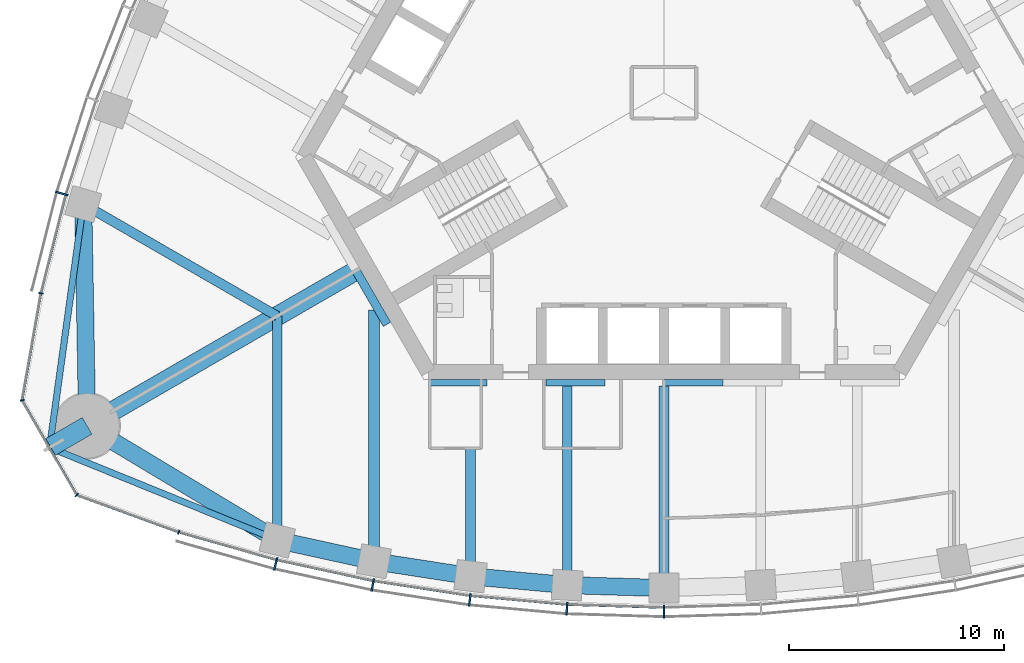
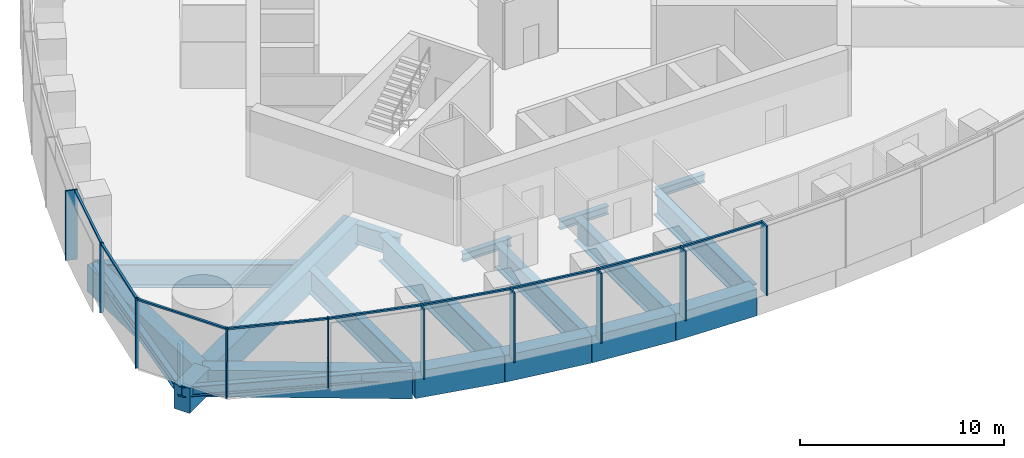
# One storey, part 2 of 15: 20 beams, 19 members, 3 elements without a shape of their own.
"""IFC4 building model written with IfcOpenShell, lengths in metres."""

import ifcopenshell
import ifcopenshell.guid

model = None  # the IFC model being written
_history = None  # IfcOwnerHistory: only IFC2X3 demands one
_inside = {}  # id of a spatial element -> (the spatial element, [elements in it])
_under = {}  # id of a project, library or spatial element -> (it, [spatial elements below it])
_declared = {}  # id of a project -> (the project, [libraries it declares])
_typed = {}  # id of a type object -> (the type object, [elements of that type])
_made_of = {}  # id of a material, layer set ... -> (it, [elements and type objects made of it])


def new_model(schema):
    """Start an empty IFC model of exactly this schema.

    Asked for "IFC4X3", IfcOpenShell would pick the latest addendum, in which some entities
    have other attributes; the version numbers below select the first issue.
    IFC2X3 requires an IfcOwnerHistory on every rooted entity: one is made here for all.
    """
    global model, _history
    if schema == "IFC4X3":
        model = ifcopenshell.file(schema_version=(4, 3, 0, 0))
    else:
        model = ifcopenshell.file(schema=schema)
    _inside.clear()
    _under.clear()
    _declared.clear()
    _typed.clear()
    _made_of.clear()
    _history = None
    if model.schema == "IFC2X3":
        org = make("IfcOrganization", Name="unknown")
        user = make(
            "IfcPersonAndOrganization",
            ThePerson=make("IfcPerson", FamilyName="unknown"),
            TheOrganization=org,
        )
        app = make(
            "IfcApplication",
            ApplicationDeveloper=org,
            Version="unknown",
            ApplicationFullName="unknown",
            ApplicationIdentifier="unknown",
        )
        _history = make(
            "IfcOwnerHistory",
            OwningUser=user,
            OwningApplication=app,
            ChangeAction="ADDED",
            CreationDate=0,
        )
    return model


def make(cls, **values):
    """One entity of the class cls with the attributes given. An attribute that is None is left unset."""
    return model.create_entity(
        cls, **{name: value for name, value in values.items() if value is not None}
    )


def rooted(cls, **values):
    """An entity with a GlobalId (a new one), such as an element, a storey or a relation."""
    return make(cls, GlobalId=ifcopenshell.guid.new(), OwnerHistory=_history, **values)


def si_unit(unit_type, name, prefix=None):
    """IfcSIUnit, for example si_unit("LENGTHUNIT", "METRE", prefix="MILLI")."""
    return make("IfcSIUnit", UnitType=unit_type, Prefix=prefix, Name=name)


def assignment(units):
    """IfcUnitAssignment: the units of a project."""
    return None if units is None else make("IfcUnitAssignment", Units=units)


def point(xyz):
    """IfcCartesianPoint."""
    return None if xyz is None else make("IfcCartesianPoint", Coordinates=xyz)


def direction(xyz):
    """IfcDirection."""
    return None if xyz is None else make("IfcDirection", DirectionRatios=xyz)


def frame(location, z_axis=None, x_axis=None):
    """IfcAxis2Placement3D, a coordinate frame: its origin and axes. An axis left out is left unset."""
    return make(
        "IfcAxis2Placement3D",
        Location=point(location),
        Axis=direction(z_axis),
        RefDirection=direction(x_axis),
    )


def frame_2d(location, x_axis=None):
    """IfcAxis2Placement2D, a coordinate frame in the plane: its origin and x axis."""
    return make(
        "IfcAxis2Placement2D", Location=point(location), RefDirection=direction(x_axis)
    )


def origin():
    """The frame at (0, 0, 0) with its axes left unset."""
    return frame((0.0, 0.0, 0.0))


def origin_2d():
    """The frame at (0, 0) in the plane with its x axis left unset."""
    return frame_2d((0.0, 0.0))


def place(relative_to, where):
    """IfcLocalPlacement: puts the frame where relative to a parent placement (None: the world)."""
    return make(
        "IfcLocalPlacement", PlacementRelTo=relative_to, RelativePlacement=where
    )


def context(
    kind, dimensions, precision=None, world=None, true_north=None, identifier=None
):
    """IfcGeometricRepresentationContext, for example the 3D "Model" context."""
    return make(
        "IfcGeometricRepresentationContext",
        ContextIdentifier=identifier,
        ContextType=kind,
        CoordinateSpaceDimension=dimensions,
        Precision=precision,
        WorldCoordinateSystem=world,
        TrueNorth=true_north,
    )


def subcontext(parent, identifier, kind, view, scale=None):
    """IfcGeometricRepresentationSubContext, for example "Body" below "Model"."""
    return make(
        "IfcGeometricRepresentationSubContext",
        ContextIdentifier=identifier,
        ContextType=kind,
        ParentContext=parent,
        TargetScale=scale,
        TargetView=view,
    )


def project(units=None, contexts=None):
    """IfcProject with its units and contexts."""
    return rooted(
        "IfcProject",
        Name="project",
        RepresentationContexts=contexts,
        UnitsInContext=assignment(units),
    )


def spatial(cls, under=None, at=None, **own):
    """A site, building, storey or space (cls), placed at a placement, below another one or the project."""
    s = rooted(cls, ObjectPlacement=at, **own)
    if under is not None:
        _under.setdefault(under.id(), (under, []))[1].append(s)
    return s


def profile(cls, at=None, kind="AREA", **sizes):
    """A parametric profile (cls). Its sizes go by their IFC names, for example OverallWidth=200.0."""
    return make(cls, ProfileType=kind, Position=at, **sizes)


def rectangle(**sizes):
    """IfcRectangleProfileDef."""
    return profile("IfcRectangleProfileDef", **sizes)


def i_section(**sizes):
    """IfcIShapeProfileDef."""
    return profile("IfcIShapeProfileDef", **sizes)


def extrude(swept, where, along, depth):
    """IfcExtrudedAreaSolid: the profile swept, set in the frame where, extruded along a direction by depth."""
    return make(
        "IfcExtrudedAreaSolid",
        SweptArea=swept,
        Position=where,
        ExtrudedDirection=direction(along),
        Depth=depth,
    )


def shape(context_of_items, identifier, shape_type, items):
    """IfcShapeRepresentation: the items that make up one representation, for example the "Body"."""
    return make(
        "IfcShapeRepresentation",
        ContextOfItems=context_of_items,
        RepresentationIdentifier=identifier,
        RepresentationType=shape_type,
        Items=items,
    )


def material(Name=None, Category=None):
    """IfcMaterial."""
    return make("IfcMaterial", Name=Name, Category=Category)


def material_profile(
    of_material, cross_section, Name=None, Category=None, Priority=None
):
    """IfcMaterialProfile: a cross section and its material."""
    return make(
        "IfcMaterialProfile",
        Name=Name,
        Material=of_material,
        Profile=cross_section,
        Priority=Priority,
        Category=Category,
    )


def profile_set(profiles, Name=None, composite=None):
    """IfcMaterialProfileSet."""
    return make(
        "IfcMaterialProfileSet",
        Name=Name,
        MaterialProfiles=profiles,
        CompositeProfile=composite,
    )


def made_of(thing, what):
    """Note that an element or type object is made of a material, layer set ...; save() writes the relation."""
    if what is not None:
        _made_of.setdefault(what.id(), (what, []))[1].append(thing)
    return thing


def type_object(cls, material=None, **own):
    """A type object (cls), such as IfcWallType, which elements share."""
    return made_of(rooted(cls, **own), material)


def element(
    cls,
    number,
    at=None,
    inside=None,
    cuts=None,
    type_object=None,
    material=None,
    context=None,
    identifier="Body",
    shape_type=None,
    held_by="IfcProductDefinitionShape",
    body=None,
    shapes=None,
    **own,
):
    """One element of the class cls, such as IfcWall. Its Tag is "e" and its number.

    at: its placement. inside: the storey or other place that contains it. cuts: it is an
    opening in that element (IfcRelVoidsElement). A single representation is given by context,
    identifier, shape_type and body (its items); several are given by shapes. held_by: the class
    of the entity that holds the representations. save() writes the other relations.
    """
    e = rooted(cls, Tag="e%d" % number, ObjectPlacement=at, **own)
    if body is not None:
        shapes = [shape(context, identifier, shape_type, body)]
    if shapes is not None:
        e.Representation = make(held_by, Representations=shapes)
    if inside is not None:
        _inside.setdefault(inside.id(), (inside, []))[1].append(e)
    if cuts is not None:
        rooted(
            "IfcRelVoidsElement", RelatingBuildingElement=cuts, RelatedOpeningElement=e
        )
    if type_object is not None:
        _typed.setdefault(type_object.id(), (type_object, []))[1].append(e)
    return made_of(e, material)


def aggregate(whole, parts):
    """IfcRelAggregates: a whole, such as a stair, and the parts it consists of."""
    return rooted("IfcRelAggregates", RelatingObject=whole, RelatedObjects=parts)


def save(model, path):
    """Write the relations noted so far, then the file.

    IfcRelAggregates (storeys below a building ...), IfcRelContainedInSpatialStructure (elements
    in a storey), IfcRelDefinesByType, IfcRelAssociatesMaterial and IfcRelDeclares: one each for
    every whole, place, type object, material and project.
    """
    for whole, parts in _under.values():
        aggregate(whole, parts)
    for where, things in _inside.values():
        rooted(
            "IfcRelContainedInSpatialStructure",
            RelatedElements=things,
            RelatingStructure=where,
        )
    for kind, things in _typed.values():
        rooted("IfcRelDefinesByType", RelatedObjects=things, RelatingType=kind)
    for what, things in _made_of.values():
        rooted("IfcRelAssociatesMaterial", RelatedObjects=things, RelatingMaterial=what)
    for by, libraries in _declared.values():
        rooted("IfcRelDeclares", RelatingContext=by, RelatedDefinitions=libraries)
    model.write(path)


model = new_model("IFC4")

# Units and contexts
model_context = context("Model", 3, precision=1e-05, world=origin(), true_north=direction((0.0, 1.0)))
body_context = subcontext(model_context, "Body", "Model", "MODEL_VIEW")
ifc_project = project(units=[si_unit("LENGTHUNIT", "METRE"), si_unit("AREAUNIT", "SQUARE_METRE"), si_unit("VOLUMEUNIT", "CUBIC_METRE"), si_unit("PLANEANGLEUNIT", "RADIAN"), si_unit("MASSUNIT", "GRAM", prefix="KILO")], contexts=[model_context])

# Site, building, storey
site_placement = place(None, origin())
site = spatial("IfcSite", under=ifc_project, at=site_placement, CompositionType="ELEMENT")
building_placement = place(site_placement, origin())
building = spatial("IfcBuilding", under=site, at=building_placement, Name="Trefoil Bronze Tower", CompositionType="ELEMENT")
storey_placement = place(building_placement, frame((0.0, 0.0, 276.300048828125)))
storey = spatial("IfcBuildingStorey", under=building, at=storey_placement, Name="L63", CompositionType="ELEMENT", Elevation=276.300048828125)

# Curtain wall, members
ifc_material_1 = material(Name="Tinted solar-control glass", Category="glass")
curtain_wall_type_1 = type_object("IfcCurtainWallType", Name="Bronze office curtain wall", PredefinedType="USERDEFINED", material=ifc_material_1)
curtain_wall_1_placement = place(storey_placement, origin())
curtain_wall_1 = element("IfcCurtainWall", 1, at=curtain_wall_1_placement, inside=storey, type_object=curtain_wall_type_1, Name="CW-A L63 F1", ObjectType="CURTAIN WALL", PredefinedType="USERDEFINED")
ifc_material_2 = material(Name="Bronze-finish aluminium", Category="aluminium")
ifc_material_profile_1 = material_profile(ifc_material_2, rectangle(XDim=0.60009765625, YDim=0.080078125, at=origin_2d()), Name="CW-A mullion")
ifc_profile_set_1 = profile_set([ifc_material_profile_1], Name="Bronze-finish aluminium")
member_type_1 = type_object("IfcMemberType", Name="Bronze office curtain wall mullion", PredefinedType="MULLION", material=ifc_profile_set_1)
member_1_placement = place(storey_placement, frame((-18.07275390625, -21.931884765625, 0.0), z_axis=(0.0, 0.0, 1.0), x_axis=(0.242394494031, 0.97017777199, 0.0)))
member_1 = element("IfcMember", 2, at=member_1_placement, type_object=member_type_1, Name="CW-A L63 F1 mullion 2", PredefinedType="MULLION", context=body_context, shape_type="SweptSolid", body=[
    extrude(rectangle(XDim=0.60009765625, YDim=0.080078125, at=origin_2d()), origin(), (0.0, 0.0, 1.0), 4.179931640625),
])
member_2_placement = place(storey_placement, frame((-13.554443359375, -22.911376953125, 0.0), z_axis=(0.0, 0.0, 1.0), x_axis=(0.181667218242, 0.983360067227, 0.0)))
member_2 = element("IfcMember", 3, at=member_2_placement, type_object=member_type_1, Name="CW-A L63 F1 mullion 3", PredefinedType="MULLION", context=body_context, shape_type="SweptSolid", body=[
    extrude(rectangle(XDim=0.60009765625, YDim=0.080078125, at=origin_2d()), origin(), (0.0, 0.0, 1.0), 4.179931640625),
])
member_3_placement = place(storey_placement, frame((-9.036376953125, -23.602783203125, 0.0), z_axis=(0.0, 0.0, 1.0), x_axis=(0.121109330868, 0.992639174109, 0.0)))
member_3 = element("IfcMember", 4, at=member_3_placement, type_object=member_type_1, Name="CW-A L63 F1 mullion 4", PredefinedType="MULLION", context=body_context, shape_type="SweptSolid", body=[
    extrude(rectangle(XDim=0.60009765625, YDim=0.080078125, at=origin_2d()), origin(), (0.0, 0.0, 1.0), 4.179931640625),
])
member_4_placement = place(storey_placement, frame((-4.51806640625, -24.014892578125, 0.0), z_axis=(0.0, 0.0, 1.0), x_axis=(0.060554040199, 0.998164920349, 0.0)))
member_4 = element("IfcMember", 5, at=member_4_placement, type_object=member_type_1, Name="CW-A L63 F1 mullion 5", PredefinedType="MULLION", context=body_context, shape_type="SweptSolid", body=[
    extrude(rectangle(XDim=0.60009765625, YDim=0.080078125, at=origin_2d()), origin(), (0.0, 0.0, 1.0), 4.179931640625),
])
member_5_placement = place(storey_placement, frame((0.0, -24.151611328125, 0.0), z_axis=(0.0, 0.0, 1.0), x_axis=(0.0, 1.0, 0.0)))
member_5 = element("IfcMember", 6, at=member_5_placement, type_object=member_type_1, Name="CW-A L63 F1 mullion 6", PredefinedType="MULLION", context=body_context, shape_type="SweptSolid", body=[
    extrude(rectangle(XDim=0.60009765625, YDim=0.080078125, at=origin_2d()), origin(), (0.0, 0.0, 1.0), 4.179931640625),
])

# Curtain wall, member
curtain_wall_2_placement = place(storey_placement, origin())
curtain_wall_2 = element("IfcCurtainWall", 7, at=curtain_wall_2_placement, inside=storey, type_object=curtain_wall_type_1, Name="CW-A L63 F3", ObjectType="CURTAIN WALL", PredefinedType="USERDEFINED")
member_6_placement = place(storey_placement, frame((-28.02978515625, -4.685546875, 0.0), z_axis=(0.0, 0.0, 1.0), x_axis=(0.961395843746, -0.275169096426, 0.0)))
member_6 = element("IfcMember", 8, at=member_6_placement, type_object=member_type_1, Name="CW-A L63 F3 mullion 10", PredefinedType="MULLION", context=body_context, shape_type="SweptSolid", body=[
    extrude(rectangle(XDim=0.60009765625, YDim=0.080078125, at=origin_2d()), origin(), (0.0, 0.0, 1.0), 4.179931640625),
])

# Member
ifc_material_3 = material(Name="Bronze-finish aluminium", Category="aluminium")
ifc_material_profile_2 = material_profile(ifc_material_3, rectangle(XDim=0.1201171875, YDim=0.10009765625, at=origin_2d()), Name="CW-A transom")
ifc_profile_set_2 = profile_set([ifc_material_profile_2], Name="Bronze-finish aluminium")
member_type_2 = type_object("IfcMemberType", Name="Bronze office curtain wall transom", PredefinedType="USERDEFINED", material=ifc_profile_set_2)
member_7_placement = place(storey_placement, frame((-22.537109375, -20.458740234375, 4.1298828125), z_axis=(0.962102611578, -0.272687668944, 0.0), x_axis=(0.272687668944, 0.962102611578, 0.0)))
member_7 = element("IfcMember", 9, at=member_7_placement, type_object=member_type_2, Name="CW-A L63 F1 transom 1", ObjectType="TRANSOM", PredefinedType="USERDEFINED", context=body_context, shape_type="SweptSolid", body=[
    extrude(rectangle(XDim=0.1201171875, YDim=0.10009765625, at=origin_2d()), origin(), (0.0, 0.0, 1.0), 4.6474609375),
])

member_8_placement = place(storey_placement, frame((-17.982177734375, -21.7470703125, 4.1298828125), z_axis=(0.977303780028, -0.211842681117, 0.0), x_axis=(0.211842681117, 0.977303780028, 0.0)))
member_8 = element("IfcMember", 10, at=member_8_placement, type_object=member_type_2, Name="CW-A L63 F1 transom 2", ObjectType="TRANSOM", PredefinedType="USERDEFINED", context=body_context, shape_type="SweptSolid", body=[
    extrude(rectangle(XDim=0.1201171875, YDim=0.10009765625, at=origin_2d()), origin(), (0.0, 0.0, 1.0), 4.524658203125),
])

member_9_placement = place(storey_placement, frame((-13.4755859375, -22.72119140625, 4.1298828125), z_axis=(0.988485016014, -0.151318779787, 0.0), x_axis=(0.151318779787, 0.988485016014, 0.0)))
member_9 = element("IfcMember", 11, at=member_9_placement, type_object=member_type_2, Name="CW-A L63 F1 transom 3", ObjectType="TRANSOM", PredefinedType="USERDEFINED", context=body_context, shape_type="SweptSolid", body=[
    extrude(rectangle(XDim=0.1201171875, YDim=0.10009765625, at=origin_2d()), origin(), (0.0, 0.0, 1.0), 4.472412109375),
])

member_10_placement = place(storey_placement, frame((-8.96923828125, -23.408203125, 4.1298828125), z_axis=(0.995868373079, -0.090808499059, 0.0), x_axis=(0.090808499059, 0.995868373079, 0.0)))
member_10 = element("IfcMember", 12, at=member_10_placement, type_object=member_type_2, Name="CW-A L63 F1 transom 4", ObjectType="TRANSOM", PredefinedType="USERDEFINED", context=body_context, shape_type="SweptSolid", body=[
    extrude(rectangle(XDim=0.1201171875, YDim=0.10009765625, at=origin_2d()), origin(), (0.0, 0.0, 1.0), 4.438720703125),
])

member_11_placement = place(storey_placement, frame((-4.463134765625, -23.81640625, 4.1298828125), z_axis=(0.99954057115, -0.030309183848, 0.0), x_axis=(0.030309183848, 0.99954057115, 0.0)))
member_11 = element("IfcMember", 13, at=member_11_placement, type_object=member_type_2, Name="CW-A L63 F1 transom 5", ObjectType="TRANSOM", PredefinedType="USERDEFINED", context=body_context, shape_type="SweptSolid", body=[
    extrude(rectangle(XDim=0.1201171875, YDim=0.10009765625, at=origin_2d()), origin(), (0.0, 0.0, 1.0), 4.422119140625),
])

aggregate(curtain_wall_1, [member_1, member_2, member_3, member_4, member_5, member_7, member_8, member_9, member_10, member_11])

member_12_placement = place(storey_placement, frame((-27.84814453125, -4.782470703125, 4.1298828125), z_axis=(-0.244908148095, -0.969546285123, 0.0), x_axis=(0.969546285123, -0.244908148095, 0.0)))
member_12 = element("IfcMember", 14, at=member_12_placement, type_object=member_type_2, Name="CW-A L63 F3 transom 10", ObjectType="TRANSOM", PredefinedType="USERDEFINED", context=body_context, shape_type="SweptSolid", body=[
    extrude(rectangle(XDim=0.1201171875, YDim=0.10009765625, at=origin_2d()), origin(), (0.0, 0.0, 1.0), 4.6474609375),
])

aggregate(curtain_wall_2, [member_6, member_12])

# Curtain wall, members
ifc_material_4 = material(Name="Tinted solar-control glass", Category="glass")
curtain_wall_type_2 = type_object("IfcCurtainWallType", Name="Bronze rounded corner curtain wall", PredefinedType="USERDEFINED", material=ifc_material_4)
curtain_wall_3_placement = place(storey_placement, origin())
curtain_wall_3 = element("IfcCurtainWall", 15, at=curtain_wall_3_placement, inside=storey, type_object=curtain_wall_type_2, Name="CW-B L63 K3", ObjectType="CURTAIN WALL", PredefinedType="USERDEFINED")
ifc_material_5 = material(Name="Bronze-finish aluminium", Category="aluminium")
ifc_material_profile_3 = material_profile(ifc_material_5, rectangle(XDim=0.199951171875, YDim=0.06005859375, at=origin_2d()), Name="CW-B mullion")
ifc_profile_set_3 = profile_set([ifc_material_profile_3], Name="Bronze-finish aluminium")
member_type_3 = type_object("IfcMemberType", Name="Bronze rounded corner curtain wall mullion", PredefinedType="MULLION", material=ifc_profile_set_3)
member_13_placement = place(storey_placement, frame((-28.99755859375, -9.334228515625, 0.0), z_axis=(0.0, 0.0, 1.0), x_axis=(0.984807753012, -0.173648177667, 0.0)))
member_13 = element("IfcMember", 16, at=member_13_placement, type_object=member_type_3, Name="CW-B L63 K3 mullion 1", PredefinedType="MULLION", context=body_context, shape_type="SweptSolid", body=[
    extrude(rectangle(XDim=0.199951171875, YDim=0.06005859375, at=origin_2d()), origin(), (0.0, 0.0, 1.0), 4.179931640625),
])
member_14_placement = place(storey_placement, frame((-29.86865234375, -14.30908203125, 0.0), z_axis=(0.0, 0.0, 1.0), x_axis=(0.984807753012, 0.173648177667, 0.0)))
member_14 = element("IfcMember", 17, at=member_14_placement, type_object=member_type_3, Name="CW-B L63 K3 mullion 2", PredefinedType="MULLION", context=body_context, shape_type="SweptSolid", body=[
    extrude(rectangle(XDim=0.199951171875, YDim=0.06005859375, at=origin_2d()), origin(), (0.0, 0.0, 1.0), 4.179931640625),
])
member_15_placement = place(storey_placement, frame((-27.326416015625, -18.712646484375, 0.0), z_axis=(0.0, 0.0, 1.0), x_axis=(0.642787609687, 0.766044443119, 0.0)))
member_15 = element("IfcMember", 18, at=member_15_placement, type_object=member_type_3, Name="CW-B L63 K3 mullion 3", PredefinedType="MULLION", context=body_context, shape_type="SweptSolid", body=[
    extrude(rectangle(XDim=0.199951171875, YDim=0.06005859375, at=origin_2d()), origin(), (0.0, 0.0, 1.0), 4.179931640625),
])
member_16_placement = place(storey_placement, frame((-22.58251953125, -20.445556640625, 0.0), z_axis=(0.0, 0.0, 1.0), x_axis=(0.342020143326, 0.939692620786, 0.0)))
member_16 = element("IfcMember", 19, at=member_16_placement, type_object=member_type_3, Name="CW-B L63 K3 mullion 4", PredefinedType="MULLION", context=body_context, shape_type="SweptSolid", body=[
    extrude(rectangle(XDim=0.199951171875, YDim=0.06005859375, at=origin_2d()), origin(), (0.0, 0.0, 1.0), 4.179931640625),
])
ifc_material_6 = material(Name="Bronze-finish aluminium", Category="aluminium")
ifc_material_profile_4 = material_profile(ifc_material_6, rectangle(XDim=0.1201171875, YDim=0.10009765625, at=origin_2d()), Name="CW-B transom")
ifc_profile_set_4 = profile_set([ifc_material_profile_4], Name="Bronze-finish aluminium")
member_type_4 = type_object("IfcMemberType", Name="Bronze rounded corner curtain wall transom", PredefinedType="USERDEFINED", material=ifc_profile_set_4)
member_17_placement = place(storey_placement, frame((-29.0029296875, -9.36376953125, 4.1298828125), z_axis=(-0.173633591509, -0.984810324834, 0.0), x_axis=(0.984810324834, -0.173633591509, 0.0)))
member_17 = element("IfcMember", 20, at=member_17_placement, type_object=member_type_4, Name="CW-B L63 K3 transom 1", ObjectType="TRANSOM", PredefinedType="USERDEFINED", context=body_context, shape_type="SweptSolid", body=[
    extrude(rectangle(XDim=0.1201171875, YDim=0.10009765625, at=origin_2d()), origin(), (0.0, 0.0, 1.0), 4.956298828125),
])
member_18_placement = place(storey_placement, frame((-29.841796875, -14.36767578125, 4.1298828125), z_axis=(0.499985403706, -0.866033830794, 0.0), x_axis=(0.866033830794, 0.499985403706, 0.0)))
member_18 = element("IfcMember", 21, at=member_18_placement, type_object=member_type_4, Name="CW-B L63 K3 transom 2", ObjectType="TRANSOM", PredefinedType="USERDEFINED", context=body_context, shape_type="SweptSolid", body=[
    extrude(rectangle(XDim=0.1201171875, YDim=0.10009765625, at=origin_2d()), origin(), (0.0, 0.0, 1.0), 4.956298828125),
])
member_19_placement = place(storey_placement, frame((-27.26806640625, -18.740234375, 4.1298828125), z_axis=(0.93969990549, -0.342000128103, 0.0), x_axis=(0.342000128103, 0.93969990549, 0.0)))
member_19 = element("IfcMember", 22, at=member_19_placement, type_object=member_type_4, Name="CW-B L63 K3 transom 3", ObjectType="TRANSOM", PredefinedType="USERDEFINED", context=body_context, shape_type="SweptSolid", body=[
    extrude(rectangle(XDim=0.1201171875, YDim=0.10009765625, at=origin_2d()), origin(), (0.0, 0.0, 1.0), 4.956298828125),
])
aggregate(curtain_wall_3, [member_13, member_14, member_15, member_16, member_17, member_18, member_19])

# Beams
ifc_material_7 = material(Name="Steel C355", Category="steel")
ifc_material_profile_5 = material_profile(ifc_material_7, i_section(OverallWidth=0.300048828125, OverallDepth=0.5, WebThickness=0.014404296875, FlangeThickness=0.028076171875, FilletRadius=0.027099609375, at=origin_2d()), Name="HEB 500")
ifc_profile_set_5 = profile_set([ifc_material_profile_5], Name="Steel C355")
beam_type_1 = type_object("IfcBeamType", Name="Core seat beam HEB 500", PredefinedType="BEAM", material=ifc_profile_set_5)
for number, where, z_axis, x_axis, name in (
    (23, (-10.9697265625, -13.5, -0.449951171875), (1.0, 0.0, 0.0), (0.0, 1.0, 0.0), "Core seat beam F1/-2 L63"),
    (24, (-5.48486328125, -13.5, -0.449951171875), (1.0, 0.0, 0.0), (0.0, 1.0, 0.0), "Core seat beam F1/-1 L63"),
    (25, (0.0, -13.5, -0.449951171875), (1.0, 0.0, 0.0), (0.0, 1.0, 0.0), "Core seat beam F1/+0 L63"),
):
    element("IfcBeam", number, at=place(storey_placement, frame(where, z_axis=z_axis, x_axis=x_axis)), inside=storey, type_object=beam_type_1, Name=name, PredefinedType="BEAM", context=body_context, shape_type="SweptSolid", body=[
        extrude(i_section(OverallWidth=0.300048828125, OverallDepth=0.5, WebThickness=0.014404296875, FlangeThickness=0.028076171875, FilletRadius=0.027099609375, at=origin_2d()), origin(), (0.0, 0.0, 1.0), 2.742431640625),
    ])
ifc_material_8 = material(Name="Steel C355", Category="steel")
ifc_material_profile_6 = material_profile(ifc_material_8, i_section(OverallWidth=0.39990234375, OverallDepth=1.199951171875, WebThickness=0.02001953125, FlangeThickness=0.0400390625, FilletRadius=0.010009765625, at=origin_2d()), Name="WPG 1200")
ifc_profile_set_6 = profile_set([ifc_material_profile_6], Name="Steel C355")
beam_type_2 = type_object("IfcBeamType", Name="Core seat beam WPG 1200", PredefinedType="BEAM", material=ifc_profile_set_6)
beam_1_placement = place(storey_placement, frame((-14.332763671875, -8.27490234375, -0.800048828125), z_axis=(0.499995765644, -0.866027848477, 0.0), x_axis=(0.866027848477, 0.499995765644, 0.0)))
element("IfcBeam", 26, at=beam_1_placement, inside=storey, type_object=beam_type_2, Name="Core seat beam F1/-3 L63", PredefinedType="BEAM", context=body_context, shape_type="SweptSolid", body=[
    extrude(i_section(OverallWidth=0.39990234375, OverallDepth=1.199951171875, WebThickness=0.02001953125, FlangeThickness=0.0400390625, FilletRadius=0.010009765625, at=origin_2d()), origin(), (0.0, 0.0, 1.0), 2.88671875),
])
ifc_material_9 = material(Name="Concrete B80", Category="concrete")
ifc_material_profile_7 = material_profile(ifc_material_9, rectangle(XDim=0.89990234375, YDim=1.5, at=origin_2d()), Name="RC 900x1500")
ifc_profile_set_7 = profile_set([ifc_material_profile_7], Name="Concrete B80")
beam_type_3 = type_object("IfcBeamType", Name="Corner cantilever RC 900x1500", PredefinedType="BEAM", material=ifc_profile_set_7)
beam_2_placement = place(storey_placement, frame((-26.8466796875, -15.5, -0.949951171875), z_axis=(-0.866010470582, -0.500025864173, 0.0), x_axis=(0.500025864173, -0.866010470582, 0.0)))
element("IfcBeam", 27, at=beam_2_placement, inside=storey, type_object=beam_type_3, Name="Corner cantilever K3 L63", PredefinedType="BEAM", context=body_context, shape_type="SweptSolid", body=[
    extrude(rectangle(XDim=0.89990234375, YDim=1.5, at=origin_2d()), origin(), (0.0, 0.0, 1.0), 2.02001953125),
])
ifc_material_10 = material(Name="Steel C355", Category="steel")
ifc_material_profile_8 = material_profile(ifc_material_10, i_section(OverallWidth=0.300048828125, OverallDepth=0.60009765625, WebThickness=0.015380859375, FlangeThickness=0.030029296875, FilletRadius=0.027099609375, at=origin_2d()), Name="HEB 600")
ifc_profile_set_8 = profile_set([ifc_material_profile_8], Name="Steel C355")
beam_type_4 = type_object("IfcBeamType", Name="Corner edge beam HEB 600", PredefinedType="BEAM", material=ifc_profile_set_8)
beam_3_placement = place(storey_placement, frame((-18.0, -20.816162109375, -0.5), z_axis=(-0.926419351914, 0.376493272714, 0.0), x_axis=(-0.376493272714, -0.926419351914, 0.0)))
element("IfcBeam", 28, at=beam_3_placement, inside=storey, type_object=beam_type_4, Name="Corner edge beam F1B L63", PredefinedType="BEAM", context=body_context, shape_type="SweptSolid", body=[
    extrude(i_section(OverallWidth=0.300048828125, OverallDepth=0.60009765625, WebThickness=0.015380859375, FlangeThickness=0.030029296875, FilletRadius=0.027099609375, at=origin_2d()), origin(), (0.0, 0.0, 1.0), 11.4375),
])
beam_4_placement = place(storey_placement, frame((-27.02734375, -5.180419921875, -0.5), z_axis=(-0.137143714313, -0.990551160529, 0.0), x_axis=(0.990551160529, -0.137143714313, 0.0)))
element("IfcBeam", 29, at=beam_4_placement, inside=storey, type_object=beam_type_4, Name="Corner edge beam F3A L63", PredefinedType="BEAM", context=body_context, shape_type="SweptSolid", body=[
    extrude(i_section(OverallWidth=0.300048828125, OverallDepth=0.60009765625, WebThickness=0.015380859375, FlangeThickness=0.030029296875, FilletRadius=0.027099609375, at=origin_2d()), origin(), (0.0, 0.0, 1.0), 11.437744140625),
])
ifc_material_11 = material(Name="Concrete B80", Category="concrete")
ifc_material_profile_9 = material_profile(ifc_material_11, rectangle(XDim=0.89990234375, YDim=1.5, at=origin_2d()), Name="RC 900x1500")
ifc_profile_set_9 = profile_set([ifc_material_profile_9], Name="Concrete B80")
beam_type_5 = type_object("IfcBeamType", Name="Corner girder RC 900x1500", PredefinedType="BEAM", material=ifc_profile_set_9)
beam_5_placement = place(storey_placement, frame((-14.159423828125, -8.175048828125, -0.949951171875), z_axis=(-0.866026568746, -0.499997982221, 0.0), x_axis=(0.499997982221, -0.866026568746, 0.0)))
element("IfcBeam", 30, at=beam_5_placement, inside=storey, type_object=beam_type_5, Name="Corner girder K3 L63", PredefinedType="BEAM", context=body_context, shape_type="SweptSolid", body=[
    extrude(rectangle(XDim=0.89990234375, YDim=1.5, at=origin_2d()), origin(), (0.0, 0.0, 1.0), 14.64990234375),
])
ifc_material_12 = material(Name="Concrete B80", Category="concrete")
ifc_material_profile_10 = material_profile(ifc_material_12, rectangle(XDim=0.800048828125, YDim=1.60009765625, at=origin_2d()), Name="RC 800x1600")
ifc_profile_set_10 = profile_set([ifc_material_profile_10], Name="Concrete B80")
beam_type_6 = type_object("IfcBeamType", Name="End spandrel beam RC 800x1600", PredefinedType="SPANDREL", material=ifc_profile_set_10)
for number, where, z_axis, x_axis, name in (
    (31, (-26.8466796875, -15.5, -1.0), (0.857144173035, -0.515076563855, 0.0), (0.515076563855, 0.857144173035, 0.0), "Spandrel F1.1 L63"),
    (32, (-27.02734375, -5.180419921875, -1.0), (0.017504237714, -0.999846789094, 0.0), (0.999846789094, 0.017504237714, 0.0), "Spandrel F3.10 L63"),
):
    element("IfcBeam", number, at=place(storey_placement, frame(where, z_axis=z_axis, x_axis=x_axis)), inside=storey, type_object=beam_type_6, Name=name, PredefinedType="SPANDREL", context=body_context, shape_type="SweptSolid", body=[
        extrude(rectangle(XDim=0.800048828125, YDim=1.60009765625, at=origin_2d()), origin(), (0.0, 0.0, 1.0), 10.321044921875),
    ])
ifc_material_13 = material(Name="Steel C355", Category="steel")
ifc_material_profile_11 = material_profile(ifc_material_13, i_section(OverallWidth=0.449951171875, OverallDepth=1.39990234375, WebThickness=0.02294921875, FlangeThickness=0.044921875, FilletRadius=0.011962890625, at=origin_2d()), Name="WPG 1400")
ifc_profile_set_11 = profile_set([ifc_material_profile_11], Name="Steel C355")
beam_type_7 = type_object("IfcBeamType", Name="Floor beam WPG 1400", PredefinedType="BEAM", material=ifc_profile_set_11)
beam_6_placement = place(storey_placement, frame((-18.0, -20.816162109375, -0.900146484375), z_axis=(0.0, 1.0, 0.0), x_axis=(-1.0, 0.0, 0.0)))
element("IfcBeam", 33, at=beam_6_placement, inside=storey, type_object=beam_type_7, Name="Floor beam F1/-4 L63", PredefinedType="BEAM", context=body_context, shape_type="SweptSolid", body=[
    extrude(i_section(OverallWidth=0.449951171875, OverallDepth=1.39990234375, WebThickness=0.02294921875, FlangeThickness=0.044921875, FilletRadius=0.011962890625, at=origin_2d()), origin(), (0.0, 0.0, 1.0), 10.423828125),
])
beam_7_placement = place(storey_placement, frame((-9.0, -22.499267578125, -0.900146484375), z_axis=(0.0, 1.0, 0.0), x_axis=(-1.0, 0.0, 0.0)))
element("IfcBeam", 34, at=beam_7_placement, inside=storey, type_object=beam_type_7, Name="Floor beam F1/-2 L63", PredefinedType="BEAM", context=body_context, shape_type="SweptSolid", body=[
    extrude(i_section(OverallWidth=0.449951171875, OverallDepth=1.39990234375, WebThickness=0.02294921875, FlangeThickness=0.044921875, FilletRadius=0.011962890625, at=origin_2d()), origin(), (0.0, 0.0, 1.0), 8.849365234375),
])
beam_8_placement = place(storey_placement, frame((-4.5, -22.913818359375, -0.900146484375), z_axis=(0.0, 1.0, 0.0), x_axis=(-1.0, 0.0, 0.0)))
element("IfcBeam", 35, at=beam_8_placement, inside=storey, type_object=beam_type_7, Name="Floor beam F1/-1 L63", PredefinedType="BEAM", context=body_context, shape_type="SweptSolid", body=[
    extrude(i_section(OverallWidth=0.449951171875, OverallDepth=1.39990234375, WebThickness=0.02294921875, FlangeThickness=0.044921875, FilletRadius=0.011962890625, at=origin_2d()), origin(), (0.0, 0.0, 1.0), 9.263916015625),
])
beam_9_placement = place(storey_placement, frame((0.0, -23.051513671875, -0.900146484375), z_axis=(0.0, 1.0, 0.0), x_axis=(-1.0, 0.0, 0.0)))
element("IfcBeam", 36, at=beam_9_placement, inside=storey, type_object=beam_type_7, Name="Floor beam F1/+0 L63", PredefinedType="BEAM", context=body_context, shape_type="SweptSolid", body=[
    extrude(i_section(OverallWidth=0.449951171875, OverallDepth=1.39990234375, WebThickness=0.02294921875, FlangeThickness=0.044921875, FilletRadius=0.011962890625, at=origin_2d()), origin(), (0.0, 0.0, 1.0), 9.401611328125),
])
beam_10_placement = place(storey_placement, frame((-27.02734375, -5.180419921875, -0.900146484375), z_axis=(0.866026453994, -0.499998180979, 0.0), x_axis=(0.499998180979, 0.866026453994, 0.0)))
element("IfcBeam", 37, at=beam_10_placement, inside=storey, type_object=beam_type_7, Name="Floor beam F3/+4 L63", PredefinedType="BEAM", context=body_context, shape_type="SweptSolid", body=[
    extrude(i_section(OverallWidth=0.449951171875, OverallDepth=1.39990234375, WebThickness=0.02294921875, FlangeThickness=0.044921875, FilletRadius=0.011962890625, at=origin_2d()), origin(), (0.0, 0.0, 1.0), 10.423828125),
])
ifc_material_14 = material(Name="Steel C355", Category="steel")
ifc_material_profile_12 = material_profile(ifc_material_14, i_section(OverallWidth=0.5, OverallDepth=1.60009765625, WebThickness=0.02587890625, FlangeThickness=0.050048828125, FilletRadius=0.011962890625, at=origin_2d()), Name="WPG 1600")
ifc_profile_set_12 = profile_set([ifc_material_profile_12], Name="Steel C355")
beam_type_8 = type_object("IfcBeamType", Name="Floor beam WPG 1600", PredefinedType="BEAM", material=ifc_profile_set_12)
beam_11_placement = place(storey_placement, frame((-13.5, -21.802734375, -1.0), z_axis=(0.0, 1.0, 0.0), x_axis=(-1.0, 0.0, 0.0)))
element("IfcBeam", 38, at=beam_11_placement, inside=storey, type_object=beam_type_8, Name="Floor beam F1/-3 L63", PredefinedType="BEAM", context=body_context, shape_type="SweptSolid", body=[
    extrude(i_section(OverallWidth=0.5, OverallDepth=1.60009765625, WebThickness=0.02587890625, FlangeThickness=0.050048828125, FilletRadius=0.011962890625, at=origin_2d()), origin(), (0.0, 0.0, 1.0), 11.685302734375),
])
ifc_material_15 = material(Name="Concrete B80", Category="concrete")
ifc_material_profile_13 = material_profile(ifc_material_15, rectangle(XDim=0.800048828125, YDim=1.60009765625, at=origin_2d()), Name="RC 800x1600")
ifc_profile_set_13 = profile_set([ifc_material_profile_13], Name="Concrete B80")
beam_type_9 = type_object("IfcBeamType", Name="Spandrel beam RC 800x1600", PredefinedType="SPANDREL", material=ifc_profile_set_13)
beam_12_placement = place(storey_placement, frame((-18.0, -20.816162109375, -1.0), z_axis=(0.976800342355, -0.214152028182, 0.0), x_axis=(0.214152028182, 0.976800342355, 0.0)))
element("IfcBeam", 39, at=beam_12_placement, inside=storey, type_object=beam_type_9, Name="Spandrel F1.2 L63", PredefinedType="SPANDREL", context=body_context, shape_type="SweptSolid", body=[
    extrude(rectangle(XDim=0.800048828125, YDim=1.60009765625, at=origin_2d()), origin(), (0.0, 0.0, 1.0), 4.60693359375),
])
beam_13_placement = place(storey_placement, frame((-13.5, -21.802734375, -1.0), z_axis=(0.988231820946, -0.152963616816, 0.0), x_axis=(0.152963616816, 0.988231820946, 0.0)))
element("IfcBeam", 40, at=beam_13_placement, inside=storey, type_object=beam_type_9, Name="Spandrel F1.3 L63", PredefinedType="SPANDREL", context=body_context, shape_type="SweptSolid", body=[
    extrude(rectangle(XDim=0.800048828125, YDim=1.60009765625, at=origin_2d()), origin(), (0.0, 0.0, 1.0), 4.553466796875),
])
beam_14_placement = place(storey_placement, frame((-9.0, -22.499267578125, -1.0), z_axis=(0.995783550481, -0.091733966402, 0.0), x_axis=(0.091733966402, 0.995783550481, 0.0)))
element("IfcBeam", 41, at=beam_14_placement, inside=storey, type_object=beam_type_9, Name="Spandrel F1.4 L63", PredefinedType="SPANDREL", context=body_context, shape_type="SweptSolid", body=[
    extrude(rectangle(XDim=0.800048828125, YDim=1.60009765625, at=origin_2d()), origin(), (0.0, 0.0, 1.0), 4.51904296875),
])
beam_15_placement = place(storey_placement, frame((-4.5, -22.913818359375, -1.0), z_axis=(0.999532180362, -0.03058464354, 0.0), x_axis=(0.03058464354, 0.999532180362, 0.0)))
element("IfcBeam", 42, at=beam_15_placement, inside=storey, type_object=beam_type_9, Name="Spandrel F1.5 L63", PredefinedType="SPANDREL", context=body_context, shape_type="SweptSolid", body=[
    extrude(rectangle(XDim=0.800048828125, YDim=1.60009765625, at=origin_2d()), origin(), (0.0, 0.0, 1.0), 4.502197265625),
])

save(model, "model.ifc")
